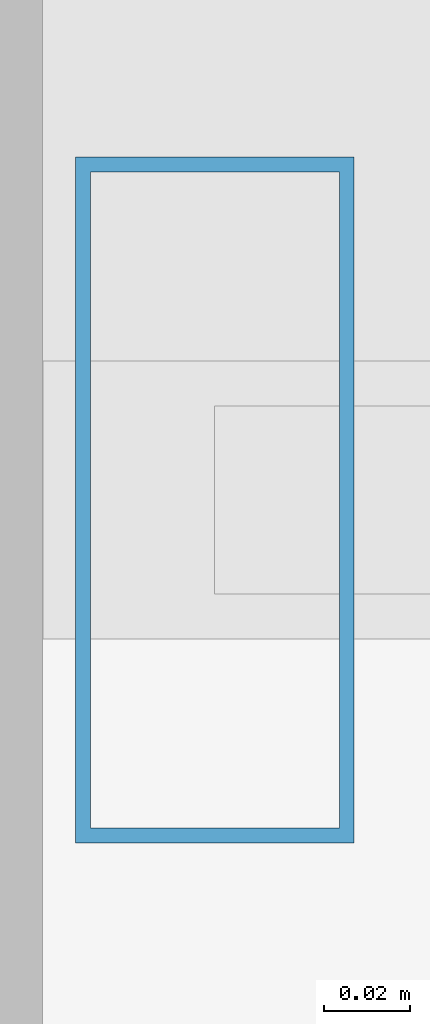
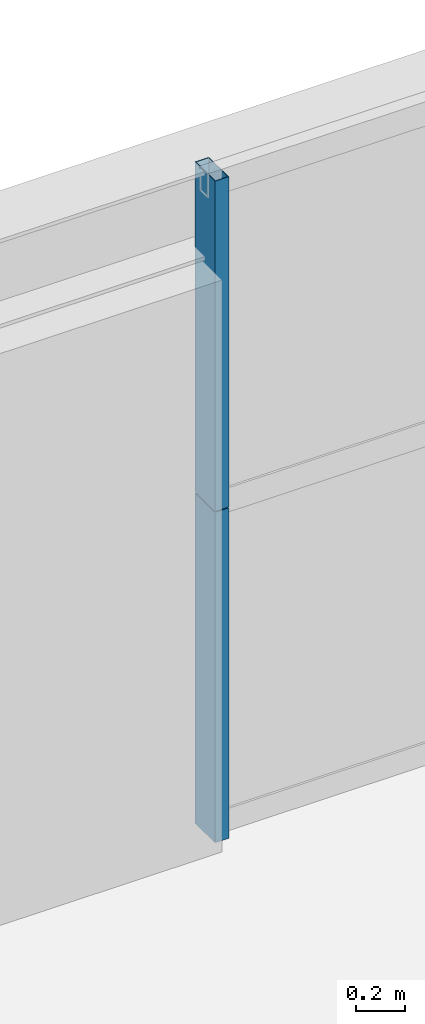
# One storey, part 27 of 42: 2 members, 1 element without a shape of its own.
"""IFC4 building model written with IfcOpenShell, lengths in metres."""

from ifc_helpers import new_model, si_unit, direction, frame, origin, origin_2d, place, context, subcontext, project, spatial, hollow_rectangle, extrude, source, transform, mapped, material, layer, layer_set, material_profile, profile_set, type_object, element, aggregate, save


model = new_model("IFC4")

# Units and contexts
model_context = context("Model", 3, precision=1e-05, world=origin(), true_north=direction((0.0, 1.0)))
body_context = subcontext(model_context, "Body", "Model", "MODEL_VIEW")
ifc_project = project(units=[si_unit("LENGTHUNIT", "METRE"), si_unit("AREAUNIT", "SQUARE_METRE"), si_unit("VOLUMEUNIT", "CUBIC_METRE"), si_unit("PLANEANGLEUNIT", "RADIAN"), si_unit("MASSUNIT", "GRAM", prefix="KILO"), si_unit("THERMODYNAMICTEMPERATUREUNIT", "KELVIN"), si_unit("POWERUNIT", "WATT")], contexts=[model_context])

# Site, building, storey
site_placement = place(None, origin())
site = spatial("IfcSite", under=ifc_project, at=site_placement, CompositionType="ELEMENT")
building_placement = place(site_placement, origin())
building = spatial("IfcBuilding", under=site, at=building_placement, Name="Yuzanri Waterfront Tower", CompositionType="ELEMENT")
storey_placement = place(building_placement, frame((0.0, 0.0, 205.5)))
storey = spatial("IfcBuildingStorey", under=building, at=storey_placement, Name="L54", CompositionType="ELEMENT", Elevation=205.5)

# Curtain wall, members
ifc_material_1 = material(Name="Anodized Architectural Bronze", Category="metal")
ifc_layer = layer(ifc_material_1, 0.159912109375)
ifc_layer_set = layer_set([ifc_layer], Name="Anodized Architectural Bronze")
curtain_wall_type = type_object("IfcCurtainWallType", Name="Anodized Bronze Mid-Rise Residential Acoustic Unitized Curtain Wall 7200", PredefinedType="NOTDEFINED", material=ifc_layer_set)
curtain_wall_placement = place(storey_placement, origin())
curtain_wall = element("IfcCurtainWall", 1, at=curtain_wall_placement, inside=storey, type_object=curtain_wall_type, Name="L54 Curtain Wall CW-L54-NL", PredefinedType="NOTDEFINED")
ifc_material_2 = material(Name="Anodized Architectural Bronze", Category="metal")
ifc_material_profile = material_profile(ifc_material_2, hollow_rectangle(XDim=0.06494140625, YDim=0.159912109375, WallThickness=0.00341796875, at=origin_2d()), Name="CWM 65x160")
ifc_profile_set = profile_set([ifc_material_profile], Name="Anodized Architectural Bronze")
member_type = type_object("IfcMemberType", Name="Anodized Bronze Upper-Zone Curtain-Wall Mullion 65x160", PredefinedType="MULLION", material=ifc_profile_set)
shared_shape = source(origin(), body_context, "Body", "SweptSolid", [
    extrude(hollow_rectangle(XDim=0.06494140625, YDim=0.159912109375, WallThickness=0.00341796875, at=origin_2d()), origin(), (0.0, 0.0, 1.0), 1.637939453125),
])
member_1_placement = place(storey_placement, frame((22.2900390625, 47.75, 0.0), z_axis=(0.0, 0.0, 1.0), x_axis=(1.0, 0.0, 0.0)))
member_1 = element("IfcMember", 2, at=member_1_placement, type_object=member_type, Name="CW-L54-NL Lower Mullion 00", PredefinedType="MULLION", context=body_context, shape_type="MappedRepresentation", body=[
    mapped(shared_shape, transform((0.0, 0.0, 0.0), scale=1.0)),
])
member_2_placement = place(storey_placement, frame((22.2900390625, 47.75, 1.64208984375), z_axis=(0.0, 0.0, 1.0), x_axis=(1.0, 0.0, 0.0)))
member_2 = element("IfcMember", 3, at=member_2_placement, type_object=member_type, Name="CW-L54-NL Upper Mullion 00", PredefinedType="MULLION", context=body_context, shape_type="MappedRepresentation", body=[
    mapped(shared_shape, transform((0.0, 0.0, 0.0), scale=1.0)),
])
aggregate(curtain_wall, [member_1, member_2])

save(model, "model.ifc")
